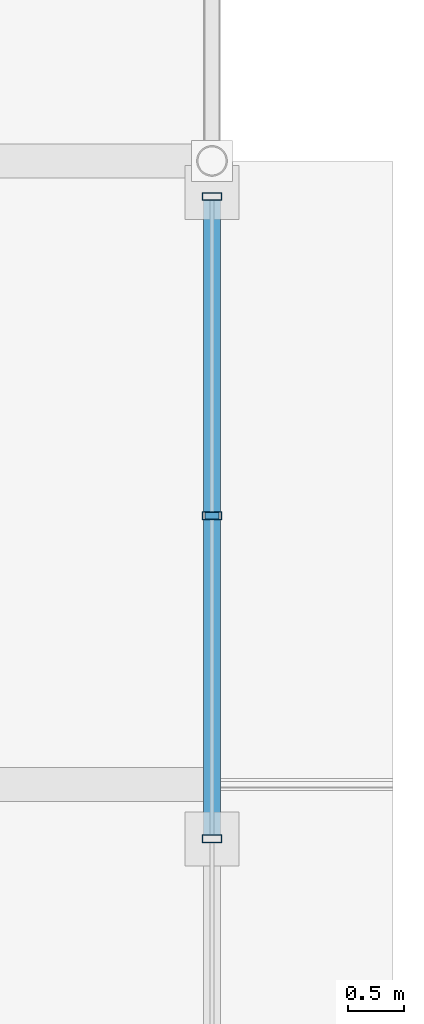
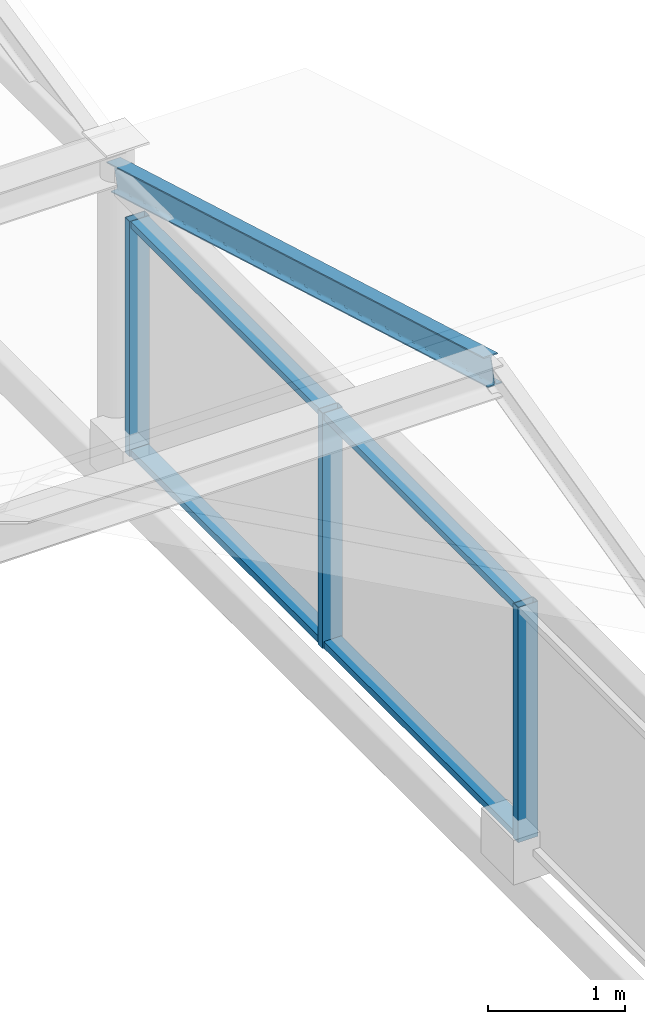
# One storey, part 69 of 117: 8 members, 1 element without a shape of its own.
"""IFC4 building model written with IfcOpenShell, lengths in metres."""

from ifc_helpers import new_model, si_unit, direction, frame, origin, origin_2d, place, context, subcontext, project, spatial, hollow_rectangle, i_section, extrude, material, material_profile, profile_set, type_object, element, aggregate, save


model = new_model("IFC4")

# Units and contexts
model_context = context("Model", 3, precision=1e-05, world=origin(), true_north=direction((0.0, 1.0)))
body_context = subcontext(model_context, "Body", "Model", "MODEL_VIEW")
ifc_project = project(units=[si_unit("LENGTHUNIT", "METRE"), si_unit("AREAUNIT", "SQUARE_METRE"), si_unit("VOLUMEUNIT", "CUBIC_METRE"), si_unit("PLANEANGLEUNIT", "RADIAN"), si_unit("MASSUNIT", "GRAM", prefix="KILO")], contexts=[model_context])

# Site, building, storey
site_placement = place(None, origin())
site = spatial("IfcSite", under=ifc_project, at=site_placement, CompositionType="ELEMENT")
building_placement = place(site_placement, origin())
building = spatial("IfcBuilding", under=site, at=building_placement, Name="Merenkruunu Market Hall", CompositionType="ELEMENT")
storey_placement = place(building_placement, frame((0.0, 0.0, 10.199951171875)))
storey = spatial("IfcBuildingStorey", under=building, at=storey_placement, Name="L02", CompositionType="ELEMENT", Elevation=10.199951171875)

# Curtain wall, members
ifc_material_1 = material(Name="Powder-coated aluminium", Category="aluminium")
curtain_wall_type = type_object("IfcCurtainWallType", Name="Clerestory Curtain Band CL02", PredefinedType="USERDEFINED", material=ifc_material_1)
curtain_wall_placement = place(storey_placement, origin())
curtain_wall = element("IfcCurtainWall", 1, at=curtain_wall_placement, inside=storey, type_object=curtain_wall_type, Name="CW-L02-CWM04-167", ObjectType="CLERESTORY_BAND", PredefinedType="USERDEFINED")
ifc_material_profile_1 = material_profile(ifc_material_1, hollow_rectangle(XDim=0.070068359375, YDim=0.169921875, WallThickness=0.0048828125, at=origin_2d()), Name="ALU 70x170x5")
ifc_profile_set_1 = profile_set([ifc_material_profile_1], Name="Powder-coated aluminium")
member_type_1 = type_object("IfcMemberType", Name="Curtain Wall Mullion CWM04", PredefinedType="MULLION", material=ifc_profile_set_1)
member_1_placement = place(storey_placement, frame((76.800048828125, 87.284912109375, 0.0), z_axis=(0.0, 0.0, 1.0), x_axis=(0.0, -1.0, 0.0)))
member_1 = element("IfcMember", 2, at=member_1_placement, type_object=member_type_1, Name="CL02 mullion 1", PredefinedType="MULLION", context=body_context, shape_type="SweptSolid", body=[
    extrude(hollow_rectangle(XDim=0.070068359375, YDim=0.169921875, WallThickness=0.0048828125, at=origin_2d()), origin(), (0.0, 0.0, 1.0), 2.10009765625),
])
member_2_placement = place(storey_placement, frame((76.800048828125, 84.4599609375, 0.0), z_axis=(0.0, 0.0, 1.0), x_axis=(0.0, -1.0, 0.0)))
member_2 = element("IfcMember", 3, at=member_2_placement, type_object=member_type_1, Name="CL02 mullion 2", PredefinedType="MULLION", context=body_context, shape_type="SweptSolid", body=[
    extrude(hollow_rectangle(XDim=0.070068359375, YDim=0.169921875, WallThickness=0.0048828125, at=origin_2d()), origin(), (0.0, 0.0, 1.0), 2.10009765625),
])
member_3_placement = place(storey_placement, frame((76.800048828125, 81.60009765625, 0.0), z_axis=(0.0, 0.0, 1.0), x_axis=(0.0, -1.0, 0.0)))
member_3 = element("IfcMember", 4, at=member_3_placement, type_object=member_type_1, Name="CL02 mullion 3", PredefinedType="MULLION", context=body_context, shape_type="SweptSolid", body=[
    extrude(hollow_rectangle(XDim=0.070068359375, YDim=0.169921875, WallThickness=0.0048828125, at=origin_2d()), origin(), (0.0, 0.0, 1.0), 2.10009765625),
])
ifc_material_profile_2 = material_profile(ifc_material_1, hollow_rectangle(XDim=0.06005859375, YDim=0.14990234375, WallThickness=0.00390625, at=origin_2d()), Name="ALU 60x150x4")
ifc_profile_set_2 = profile_set([ifc_material_profile_2], Name="Powder-coated aluminium")
member_type_2 = type_object("IfcMemberType", Name="Curtain Wall Transom CWT04", PredefinedType="USERDEFINED", material=ifc_profile_set_2)
member_4_placement = place(storey_placement, frame((76.800048828125, 87.25, 0.030029296875), z_axis=(0.0, -1.0, 0.0), x_axis=(0.0, 0.0, 1.0)))
member_4 = element("IfcMember", 5, at=member_4_placement, type_object=member_type_2, Name="CL02 transom 1.1", ObjectType="TRANSOM", PredefinedType="USERDEFINED", context=body_context, shape_type="SweptSolid", body=[
    extrude(hollow_rectangle(XDim=0.06005859375, YDim=0.14990234375, WallThickness=0.00390625, at=origin_2d()), origin(), (0.0, 0.0, 1.0), 2.7548828125),
])
member_5_placement = place(storey_placement, frame((76.800048828125, 87.25, 2.070068359375), z_axis=(0.0, -1.0, 0.0), x_axis=(0.0, 0.0, 1.0)))
member_5 = element("IfcMember", 6, at=member_5_placement, type_object=member_type_2, Name="CL02 transom 1.2", ObjectType="TRANSOM", PredefinedType="USERDEFINED", context=body_context, shape_type="SweptSolid", body=[
    extrude(hollow_rectangle(XDim=0.06005859375, YDim=0.14990234375, WallThickness=0.00390625, at=origin_2d()), origin(), (0.0, 0.0, 1.0), 2.7548828125),
])
member_6_placement = place(storey_placement, frame((76.800048828125, 84.425048828125, 0.030029296875), z_axis=(0.0, -1.0, 0.0), x_axis=(0.0, 0.0, 1.0)))
member_6 = element("IfcMember", 7, at=member_6_placement, type_object=member_type_2, Name="CL02 transom 2.1", ObjectType="TRANSOM", PredefinedType="USERDEFINED", context=body_context, shape_type="SweptSolid", body=[
    extrude(hollow_rectangle(XDim=0.06005859375, YDim=0.14990234375, WallThickness=0.00390625, at=origin_2d()), origin(), (0.0, 0.0, 1.0), 2.7900390625),
])
member_7_placement = place(storey_placement, frame((76.800048828125, 84.425048828125, 2.070068359375), z_axis=(0.0, -1.0, 0.0), x_axis=(0.0, 0.0, 1.0)))
member_7 = element("IfcMember", 8, at=member_7_placement, type_object=member_type_2, Name="CL02 transom 2.2", ObjectType="TRANSOM", PredefinedType="USERDEFINED", context=body_context, shape_type="SweptSolid", body=[
    extrude(hollow_rectangle(XDim=0.06005859375, YDim=0.14990234375, WallThickness=0.00390625, at=origin_2d()), origin(), (0.0, 0.0, 1.0), 2.7900390625),
])
aggregate(curtain_wall, [member_1, member_2, member_3, member_4, member_5, member_6, member_7])

# Member
ifc_material_2 = material(Name="Steel S355ML", Category="steel")
ifc_material_profile_3 = material_profile(ifc_material_2, i_section(OverallWidth=0.1201171875, OverallDepth=0.239990234375, WebThickness=0.006103515625, FlangeThickness=0.009765625, FilletRadius=0.014892578125, at=origin_2d()), Name="IPE 240")
ifc_profile_set_3 = profile_set([ifc_material_profile_3], Name="Steel S355ML")
member_type_3 = type_object("IfcMemberType", Name="Roof Purlin Rafter PR02", PredefinedType="PURLIN", material=ifc_profile_set_3)
member_8_placement = place(storey_placement, frame((76.800048828125, 82.080078125, 3.880126953125), z_axis=(0.0, 0.960462085918, -0.27841081429), x_axis=(-1.0, 0.0, 0.0)))
element("IfcMember", 9, at=member_8_placement, inside=storey, type_object=member_type_3, Name="MEM-V4-SAWR-024", PredefinedType="PURLIN", context=body_context, shape_type="SweptSolid", body=[
    extrude(i_section(OverallWidth=0.1201171875, OverallDepth=0.239990234375, WebThickness=0.006103515625, FlangeThickness=0.009765625, FilletRadius=0.014892578125, at=origin_2d()), origin(), (0.0, 0.0, 1.0), 5.747314453125),
])

save(model, "model.ifc")
